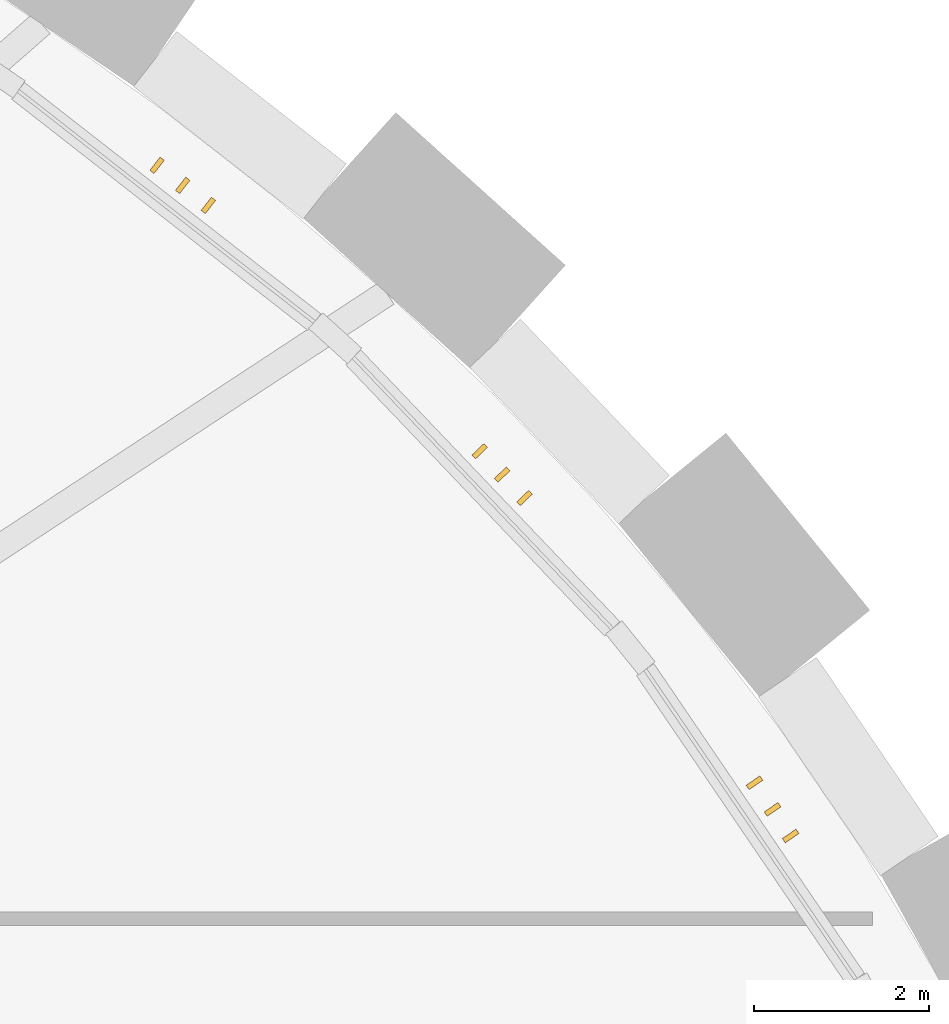
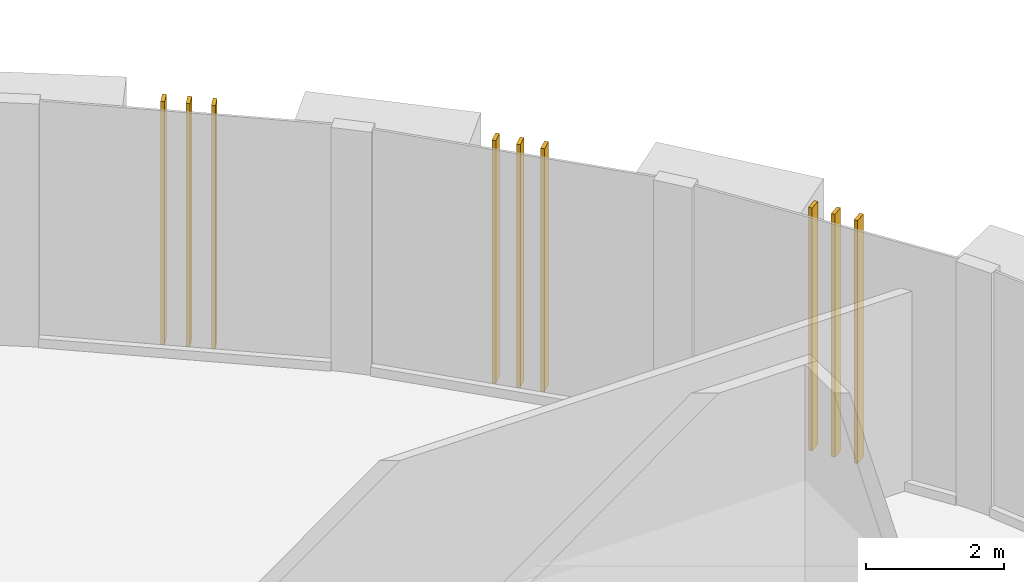
# One storey, part 21 of 21: 9 shading devices.
"""IFC4 building model written with IfcOpenShell, lengths in metres."""

from ifc_helpers import new_model, si_unit, direction, frame, origin, origin_2d, place, context, subcontext, project, spatial, rectangle, extrude, source, transform, mapped, material, material_profile, profile_set, type_object, element, save


model = new_model("IFC4")

# Units and contexts
model_context = context("Model", 3, precision=1e-05, world=origin(), true_north=direction((0.0, 1.0)))
body_context = subcontext(model_context, "Body", "Model", "MODEL_VIEW")
ifc_project = project(units=[si_unit("LENGTHUNIT", "METRE"), si_unit("AREAUNIT", "SQUARE_METRE"), si_unit("VOLUMEUNIT", "CUBIC_METRE"), si_unit("PLANEANGLEUNIT", "RADIAN"), si_unit("MASSUNIT", "GRAM", prefix="KILO")], contexts=[model_context])

# Site, building, storey
site_placement = place(None, origin())
site = spatial("IfcSite", under=ifc_project, at=site_placement, CompositionType="ELEMENT")
building_placement = place(site_placement, origin())
building = spatial("IfcBuilding", under=site, at=building_placement, Name="Embergate Tower", CompositionType="ELEMENT")
storey_placement = place(building_placement, frame((0.0, 0.0, 33.5)))
storey = spatial("IfcBuildingStorey", under=building, at=storey_placement, Name="L04", CompositionType="ELEMENT", Elevation=33.5)

# Shading devices
ifc_material = material(Name="Terracotta, extruded and glazed", Category="masonry")
ifc_material_profile = material_profile(ifc_material, rectangle(XDim=0.18994140625, YDim=0.06005859375, at=origin_2d()), Name="TC 190x60")
ifc_profile_set = profile_set([ifc_material_profile], Name="Terracotta, extruded and glazed")
shading_device_type = type_object("IfcShadingDeviceType", Name="Terracotta fin", PredefinedType="USERDEFINED", material=ifc_profile_set)
shared_shape = source(origin(), body_context, "Body", "SweptSolid", [
    extrude(rectangle(XDim=0.18994140625, YDim=0.06005859375, at=origin_2d()), origin(), (0.0, 0.0, 1.0), 4.300048828125),
])
for number, where, z_axis, x_axis, name in (
    (1, (34.55859375, 13.493896484375, 0.0), (0.0, 0.0, 1.0), (-0.826901986809, -0.562346071572, 0.0), "Fin 3.1"),
    (2, (34.352294921875, 13.797119140625, 0.0), (0.0, 0.0, 1.0), (-0.826901986809, -0.562346071572, 0.0), "Fin 3.2"),
    (3, (34.146240234375, 14.1005859375, 0.0), (0.0, 0.0, 1.0), (-0.826901986809, -0.562346071572, 0.0), "Fin 3.3"),
    (4, (31.5244140625, 17.345703125, 0.0), (0.0, 0.0, 1.0), (-0.723678194673, -0.690137573644, 0.0), "Fin 4.1"),
    (5, (31.269775390625, 17.61279296875, 0.0), (0.0, 0.0, 1.0), (-0.723678194673, -0.690137573644, 0.0), "Fin 4.2"),
    (6, (31.01513671875, 17.8798828125, 0.0), (0.0, 0.0, 1.0), (-0.723678194673, -0.690137573644, 0.0), "Fin 4.3"),
    (7, (27.92138671875, 20.681396484375, 0.0), (0.0, 0.0, 1.0), (-0.615262548398, -0.788322266931, 0.0), "Fin 5.1"),
    (8, (27.62890625, 20.909912109375, 0.0), (0.0, 0.0, 1.0), (-0.615262548398, -0.788322266931, 0.0), "Fin 5.2"),
    (9, (27.33642578125, 21.13818359375, 0.0), (0.0, 0.0, 1.0), (-0.615262548398, -0.788322266931, 0.0), "Fin 5.3"),
):
    element("IfcShadingDevice", number, at=place(storey_placement, frame(where, z_axis=z_axis, x_axis=x_axis)), inside=storey, type_object=shading_device_type, Name=name, ObjectType="FIN", PredefinedType="USERDEFINED", context=body_context, shape_type="MappedRepresentation", body=[
        mapped(shared_shape, transform((0.0, 0.0, 0.0))),
    ])

save(model, "model.ifc")
